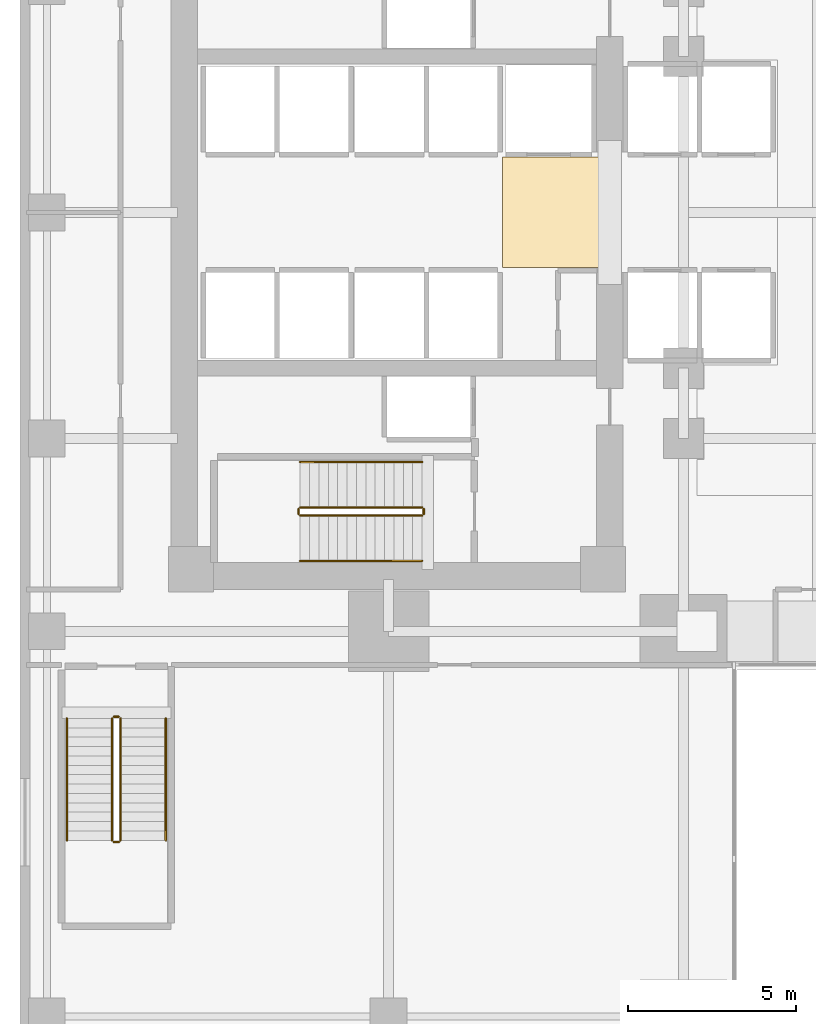
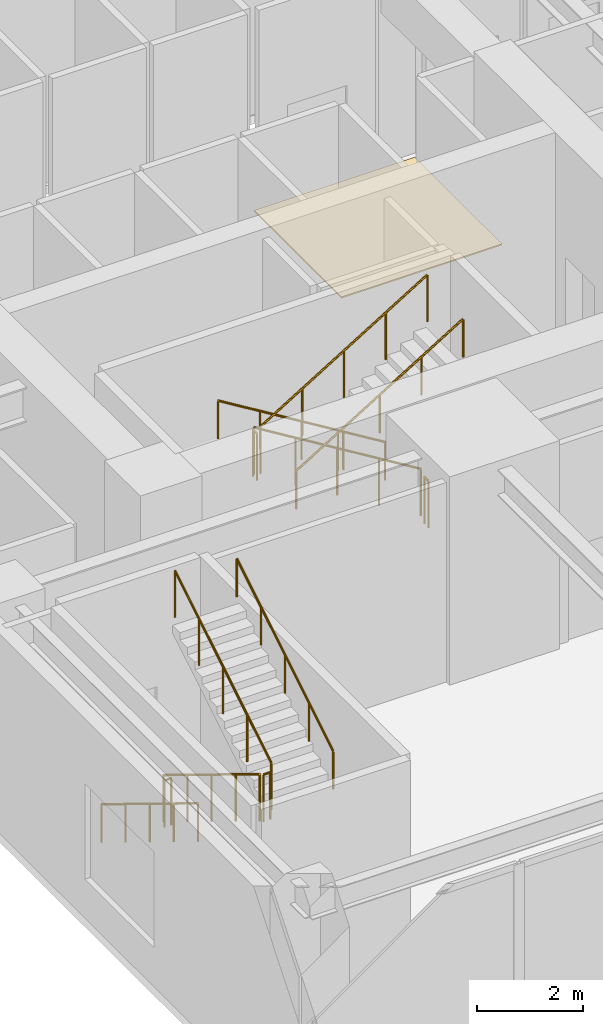
# One storey, part 12 of 13: 12 railings, 1 covering.
"""IFC4 building model written with IfcOpenShell, lengths in metres."""

from ifc_helpers import new_model, si_unit, direction, frame, origin, origin_2d, place, context, subcontext, project, spatial, polyline, circle, outline, extrude, material, layer, layer_set, type_object, element, save


model = new_model("IFC4")

# Units and contexts
model_context = context("Model", 3, precision=1e-05, world=origin(), true_north=direction((0.0, 1.0)))
body_context = subcontext(model_context, "Body", "Model", "MODEL_VIEW")
ifc_project = project(units=[si_unit("LENGTHUNIT", "METRE"), si_unit("AREAUNIT", "SQUARE_METRE"), si_unit("VOLUMEUNIT", "CUBIC_METRE"), si_unit("PLANEANGLEUNIT", "RADIAN"), si_unit("MASSUNIT", "GRAM", prefix="KILO")], contexts=[model_context])

# Site, building, storey
site_placement = place(None, origin())
site = spatial("IfcSite", under=ifc_project, at=site_placement, CompositionType="ELEMENT")
building_placement = place(site_placement, origin())
building = spatial("IfcBuilding", under=site, at=building_placement, Name="Kinhvarn Gate Tower", CompositionType="ELEMENT")
storey_placement = place(building_placement, frame((0.0, 0.0, 6.0)))
storey = spatial("IfcBuildingStorey", under=building, at=storey_placement, Name="L01", CompositionType="ELEMENT", Elevation=6.0)

# Covering
ifc_material_1 = material(Name="Honed granite architectural paving", Category="masonry")
ifc_layer = layer(ifc_material_1, 0.030029296875)
ifc_layer_set = layer_set([ifc_layer], Name="Honed granite architectural paving")
covering_type = type_object("IfcCoveringType", Name="COV-FLR-30", PredefinedType="FLOORING", material=ifc_layer_set)
covering_placement = place(storey_placement, origin())
element("IfcCovering", 1, at=covering_placement, inside=storey, type_object=covering_type, Name="Honed Granite Lift Lobby Flooring (L01)", PredefinedType="FLOORING", context=body_context, shape_type="SweptSolid", body=[
    extrude(outline(polyline([(14.39990234375, 23.60009765625), (14.39990234375, 26.89990234375), (17.89990234375, 26.89990234375), (17.89990234375, 23.60009765625), (14.39990234375, 23.60009765625)])), origin(), (0.0, 0.0, 1.0), 0.030029296875),
])

# Railings
ifc_material_2 = material(Name="Steel S355", Category="steel")
railing_type_1 = type_object("IfcRailingType", Name="RL-ST-GRD", PredefinedType="BALUSTRADE", material=ifc_material_2)
railing_1_placement = place(storey_placement, frame((12.0, 16.449951171875, 0.17138671875)))
element("IfcRailing", 2, at=railing_1_placement, inside=storey, type_object=railing_type_1, Name="L01 ST1 stair guard 1", PredefinedType="BALUSTRADE", context=body_context, shape_type="SweptSolid", body=[
    extrude(circle(Radius=0.02392578125, at=origin_2d()), frame((0.0, 0.0, 1.076171875), z_axis=(-0.852850264322, 0.0, 0.5221555579), x_axis=(0.0, -1.0, 0.0)), (0.0, 0.0, 1.0), 4.267822265625),
    extrude(circle(Radius=0.02099609375, at=origin_2d()), origin(), (0.0, 0.0, 1.0), 1.052001953125),
    extrude(circle(Radius=0.02099609375, at=origin_2d()), frame((-0.909912109375, 0.0, 0.55712890625)), (0.0, 0.0, 1.0), 1.052001953125),
    extrude(circle(Radius=0.02099609375, at=origin_2d()), frame((-1.81982421875, 0.0, 1.1142578125)), (0.0, 0.0, 1.0), 1.052001953125),
    extrude(circle(Radius=0.02099609375, at=origin_2d()), frame((-2.72998046875, 0.0, 1.67138671875)), (0.0, 0.0, 1.0), 1.052001953125),
    extrude(circle(Radius=0.02099609375, at=origin_2d()), frame((-3.639892578125, 0.0, 2.228515625)), (0.0, 0.0, 1.0), 1.052001953125),
])
railing_2_placement = place(storey_placement, frame((8.31005859375, 16.39990234375, 2.39990234375)))
element("IfcRailing", 3, at=railing_2_placement, inside=storey, type_object=railing_type_1, Name="L01 ST1 stair guard 2", PredefinedType="BALUSTRADE", context=body_context, shape_type="SweptSolid", body=[
    extrude(circle(Radius=0.02392578125, at=origin_2d()), frame((0.0, 0.0, 1.076171875), z_axis=(0.0, -1.0, 0.0), x_axis=(1.0, 0.0, 0.0)), (0.0, 0.0, 1.0), 0.14990234375),
    extrude(circle(Radius=0.02099609375, at=origin_2d()), origin(), (0.0, 0.0, 1.0), 1.052001953125),
    extrude(circle(Radius=0.02099609375, at=origin_2d()), frame((0.0, -0.14990234375, 0.0)), (0.0, 0.0, 1.0), 1.052001953125),
])
railing_3_placement = place(storey_placement, frame((8.360107421875, 16.199951171875, 2.571533203125)))
element("IfcRailing", 4, at=railing_3_placement, inside=storey, type_object=railing_type_1, Name="L01 ST1 stair guard 3", PredefinedType="BALUSTRADE", context=body_context, shape_type="SweptSolid", body=[
    extrude(circle(Radius=0.02392578125, at=origin_2d()), frame((0.0, 0.0, 1.076171875), z_axis=(0.852850264322, 0.0, 0.5221555579), x_axis=(0.0, 1.0, 0.0)), (0.0, 0.0, 1.0), 4.267822265625),
    extrude(circle(Radius=0.02099609375, at=origin_2d()), origin(), (0.0, 0.0, 1.0), 1.052001953125),
    extrude(circle(Radius=0.02099609375, at=origin_2d()), frame((0.909912109375, 0.0, 0.55712890625)), (0.0, 0.0, 1.0), 1.052001953125),
    extrude(circle(Radius=0.02099609375, at=origin_2d()), frame((1.81982421875, 0.0, 1.1142578125)), (0.0, 0.0, 1.0), 1.052001953125),
    extrude(circle(Radius=0.02099609375, at=origin_2d()), frame((2.72998046875, 0.0, 1.67138671875)), (0.0, 0.0, 1.0), 1.052001953125),
    extrude(circle(Radius=0.02099609375, at=origin_2d()), frame((3.639892578125, 0.0, 2.228515625)), (0.0, 0.0, 1.0), 1.052001953125),
])
railing_4_placement = place(storey_placement, frame((12.050048828125, 16.39990234375, 0.0)))
element("IfcRailing", 5, at=railing_4_placement, inside=storey, type_object=railing_type_1, Name="L01 ST1 stair guard 4", PredefinedType="BALUSTRADE", context=body_context, shape_type="SweptSolid", body=[
    extrude(circle(Radius=0.02392578125, at=origin_2d()), frame((0.0, 0.0, 1.076171875), z_axis=(0.0, -1.0, 0.0), x_axis=(1.0, 0.0, 0.0)), (0.0, 0.0, 1.0), 0.14990234375),
    extrude(circle(Radius=0.02099609375, at=origin_2d()), origin(), (0.0, 0.0, 1.0), 1.052001953125),
    extrude(circle(Radius=0.02099609375, at=origin_2d()), frame((0.0, -0.14990234375, 0.0)), (0.0, 0.0, 1.0), 1.052001953125),
])
railing_5_placement = place(storey_placement, frame((2.75, 10.14990234375, 0.17138671875)))
element("IfcRailing", 6, at=railing_5_placement, inside=storey, type_object=railing_type_1, Name="L01 ST3 stair guard 1", PredefinedType="BALUSTRADE", context=body_context, shape_type="SweptSolid", body=[
    extrude(circle(Radius=0.02392578125, at=origin_2d()), frame((0.0, 0.0, 1.076171875), z_axis=(0.0, -0.852850264322, 0.5221555579), x_axis=(1.0, 0.0, 0.0)), (0.0, 0.0, 1.0), 4.267822265625),
    extrude(circle(Radius=0.02099609375, at=origin_2d()), origin(), (0.0, 0.0, 1.0), 1.052001953125),
    extrude(circle(Radius=0.02099609375, at=origin_2d()), frame((0.0, -0.909912109375, 0.55712890625)), (0.0, 0.0, 1.0), 1.052001953125),
    extrude(circle(Radius=0.02099609375, at=origin_2d()), frame((0.0, -1.81982421875, 1.1142578125)), (0.0, 0.0, 1.0), 1.052001953125),
    extrude(circle(Radius=0.02099609375, at=origin_2d()), frame((0.0, -2.72998046875, 1.67138671875)), (0.0, 0.0, 1.0), 1.052001953125),
    extrude(circle(Radius=0.02099609375, at=origin_2d()), frame((0.0, -3.639892578125, 2.228515625)), (0.0, 0.0, 1.0), 1.052001953125),
])
railing_6_placement = place(storey_placement, frame((2.800048828125, 6.4599609375, 2.39990234375)))
element("IfcRailing", 7, at=railing_6_placement, inside=storey, type_object=railing_type_1, Name="L01 ST3 stair guard 2", PredefinedType="BALUSTRADE", context=body_context, shape_type="SweptSolid", body=[
    extrude(circle(Radius=0.02392578125, at=origin_2d()), frame((0.0, 0.0, 1.076171875), z_axis=(1.0, 0.0, 0.0), x_axis=(0.0, 1.0, 0.0)), (0.0, 0.0, 1.0), 0.14990234375),
    extrude(circle(Radius=0.02099609375, at=origin_2d()), origin(), (0.0, 0.0, 1.0), 1.052001953125),
    extrude(circle(Radius=0.02099609375, at=origin_2d()), frame((0.14990234375, 0.0, 0.0)), (0.0, 0.0, 1.0), 1.052001953125),
])
railing_7_placement = place(storey_placement, frame((3.0, 6.510009765625, 2.571533203125)))
element("IfcRailing", 8, at=railing_7_placement, inside=storey, type_object=railing_type_1, Name="L01 ST3 stair guard 3", PredefinedType="BALUSTRADE", context=body_context, shape_type="SweptSolid", body=[
    extrude(circle(Radius=0.02392578125, at=origin_2d()), frame((0.0, 0.0, 1.076171875), z_axis=(0.0, 0.852850264322, 0.5221555579), x_axis=(-1.0, 0.0, 0.0)), (0.0, 0.0, 1.0), 4.267822265625),
    extrude(circle(Radius=0.02099609375, at=origin_2d()), origin(), (0.0, 0.0, 1.0), 1.052001953125),
    extrude(circle(Radius=0.02099609375, at=origin_2d()), frame((0.0, 0.909912109375, 0.55712890625)), (0.0, 0.0, 1.0), 1.052001953125),
    extrude(circle(Radius=0.02099609375, at=origin_2d()), frame((0.0, 1.81982421875, 1.1142578125)), (0.0, 0.0, 1.0), 1.052001953125),
    extrude(circle(Radius=0.02099609375, at=origin_2d()), frame((0.0, 2.72998046875, 1.67138671875)), (0.0, 0.0, 1.0), 1.052001953125),
    extrude(circle(Radius=0.02099609375, at=origin_2d()), frame((0.0, 3.639892578125, 2.228515625)), (0.0, 0.0, 1.0), 1.052001953125),
])
railing_8_placement = place(storey_placement, frame((2.800048828125, 10.199951171875, 0.0)))
element("IfcRailing", 9, at=railing_8_placement, inside=storey, type_object=railing_type_1, Name="L01 ST3 stair guard 4", PredefinedType="BALUSTRADE", context=body_context, shape_type="SweptSolid", body=[
    extrude(circle(Radius=0.02392578125, at=origin_2d()), frame((0.0, 0.0, 1.076171875), z_axis=(1.0, 0.0, 0.0), x_axis=(0.0, 1.0, 0.0)), (0.0, 0.0, 1.0), 0.14990234375),
    extrude(circle(Radius=0.02099609375, at=origin_2d()), origin(), (0.0, 0.0, 1.0), 1.052001953125),
    extrude(circle(Radius=0.02099609375, at=origin_2d()), frame((0.14990234375, 0.0, 0.0)), (0.0, 0.0, 1.0), 1.052001953125),
])
railing_type_2 = type_object("IfcRailingType", Name="RL-ST-HND", PredefinedType="HANDRAIL", material=ifc_material_2)
railing_9_placement = place(storey_placement, frame((12.0, 17.800048828125, 0.17138671875)))
element("IfcRailing", 10, at=railing_9_placement, inside=storey, type_object=railing_type_2, Name="L01 ST1 stair handrail 1", PredefinedType="HANDRAIL", context=body_context, shape_type="SweptSolid", body=[
    extrude(circle(Radius=0.02392578125, at=origin_2d()), frame((0.0, 0.0, 0.8759765625), z_axis=(-0.852850264322, 0.0, 0.5221555579), x_axis=(0.0, -1.0, 0.0)), (0.0, 0.0, 1.0), 4.267822265625),
    extrude(circle(Radius=0.02099609375, at=origin_2d()), origin(), (0.0, 0.0, 1.0), 0.851806640625),
    extrude(circle(Radius=0.02099609375, at=origin_2d()), frame((-0.909912109375, 0.0, 0.55712890625)), (0.0, 0.0, 1.0), 0.851806640625),
    extrude(circle(Radius=0.02099609375, at=origin_2d()), frame((-1.81982421875, 0.0, 1.1142578125)), (0.0, 0.0, 1.0), 0.851806640625),
    extrude(circle(Radius=0.02099609375, at=origin_2d()), frame((-2.72998046875, 0.0, 1.67138671875)), (0.0, 0.0, 1.0), 0.851806640625),
    extrude(circle(Radius=0.02099609375, at=origin_2d()), frame((-3.639892578125, 0.0, 2.228515625)), (0.0, 0.0, 1.0), 0.851806640625),
])
railing_10_placement = place(storey_placement, frame((8.360107421875, 14.85009765625, 2.571533203125)))
element("IfcRailing", 11, at=railing_10_placement, inside=storey, type_object=railing_type_2, Name="L01 ST1 stair handrail 2", PredefinedType="HANDRAIL", context=body_context, shape_type="SweptSolid", body=[
    extrude(circle(Radius=0.02392578125, at=origin_2d()), frame((0.0, 0.0, 0.8759765625), z_axis=(0.852850264322, 0.0, 0.5221555579), x_axis=(0.0, 1.0, 0.0)), (0.0, 0.0, 1.0), 4.267822265625),
    extrude(circle(Radius=0.02099609375, at=origin_2d()), origin(), (0.0, 0.0, 1.0), 0.851806640625),
    extrude(circle(Radius=0.02099609375, at=origin_2d()), frame((0.909912109375, 0.0, 0.55712890625)), (0.0, 0.0, 1.0), 0.851806640625),
    extrude(circle(Radius=0.02099609375, at=origin_2d()), frame((1.81982421875, 0.0, 1.1142578125)), (0.0, 0.0, 1.0), 0.851806640625),
    extrude(circle(Radius=0.02099609375, at=origin_2d()), frame((2.72998046875, 0.0, 1.67138671875)), (0.0, 0.0, 1.0), 0.851806640625),
    extrude(circle(Radius=0.02099609375, at=origin_2d()), frame((3.639892578125, 0.0, 2.228515625)), (0.0, 0.0, 1.0), 0.851806640625),
])
railing_11_placement = place(storey_placement, frame((1.39990234375, 10.14990234375, 0.17138671875)))
element("IfcRailing", 12, at=railing_11_placement, inside=storey, type_object=railing_type_2, Name="L01 ST3 stair handrail 1", PredefinedType="HANDRAIL", context=body_context, shape_type="SweptSolid", body=[
    extrude(circle(Radius=0.02392578125, at=origin_2d()), frame((0.0, 0.0, 0.8759765625), z_axis=(0.0, -0.852850264322, 0.5221555579), x_axis=(1.0, 0.0, 0.0)), (0.0, 0.0, 1.0), 4.267822265625),
    extrude(circle(Radius=0.02099609375, at=origin_2d()), origin(), (0.0, 0.0, 1.0), 0.851806640625),
    extrude(circle(Radius=0.02099609375, at=origin_2d()), frame((0.0, -0.909912109375, 0.55712890625)), (0.0, 0.0, 1.0), 0.851806640625),
    extrude(circle(Radius=0.02099609375, at=origin_2d()), frame((0.0, -1.81982421875, 1.1142578125)), (0.0, 0.0, 1.0), 0.851806640625),
    extrude(circle(Radius=0.02099609375, at=origin_2d()), frame((0.0, -2.72998046875, 1.67138671875)), (0.0, 0.0, 1.0), 0.851806640625),
    extrude(circle(Radius=0.02099609375, at=origin_2d()), frame((0.0, -3.639892578125, 2.228515625)), (0.0, 0.0, 1.0), 0.851806640625),
])
railing_12_placement = place(storey_placement, frame((4.35009765625, 6.510009765625, 2.571533203125)))
element("IfcRailing", 13, at=railing_12_placement, inside=storey, type_object=railing_type_2, Name="L01 ST3 stair handrail 2", PredefinedType="HANDRAIL", context=body_context, shape_type="SweptSolid", body=[
    extrude(circle(Radius=0.02392578125, at=origin_2d()), frame((0.0, 0.0, 0.8759765625), z_axis=(0.0, 0.852850264322, 0.5221555579), x_axis=(-1.0, 0.0, 0.0)), (0.0, 0.0, 1.0), 4.267822265625),
    extrude(circle(Radius=0.02099609375, at=origin_2d()), origin(), (0.0, 0.0, 1.0), 0.851806640625),
    extrude(circle(Radius=0.02099609375, at=origin_2d()), frame((0.0, 0.909912109375, 0.55712890625)), (0.0, 0.0, 1.0), 0.851806640625),
    extrude(circle(Radius=0.02099609375, at=origin_2d()), frame((0.0, 1.81982421875, 1.1142578125)), (0.0, 0.0, 1.0), 0.851806640625),
    extrude(circle(Radius=0.02099609375, at=origin_2d()), frame((0.0, 2.72998046875, 1.67138671875)), (0.0, 0.0, 1.0), 0.851806640625),
    extrude(circle(Radius=0.02099609375, at=origin_2d()), frame((0.0, 3.639892578125, 2.228515625)), (0.0, 0.0, 1.0), 0.851806640625),
])

save(model, "model.ifc")
